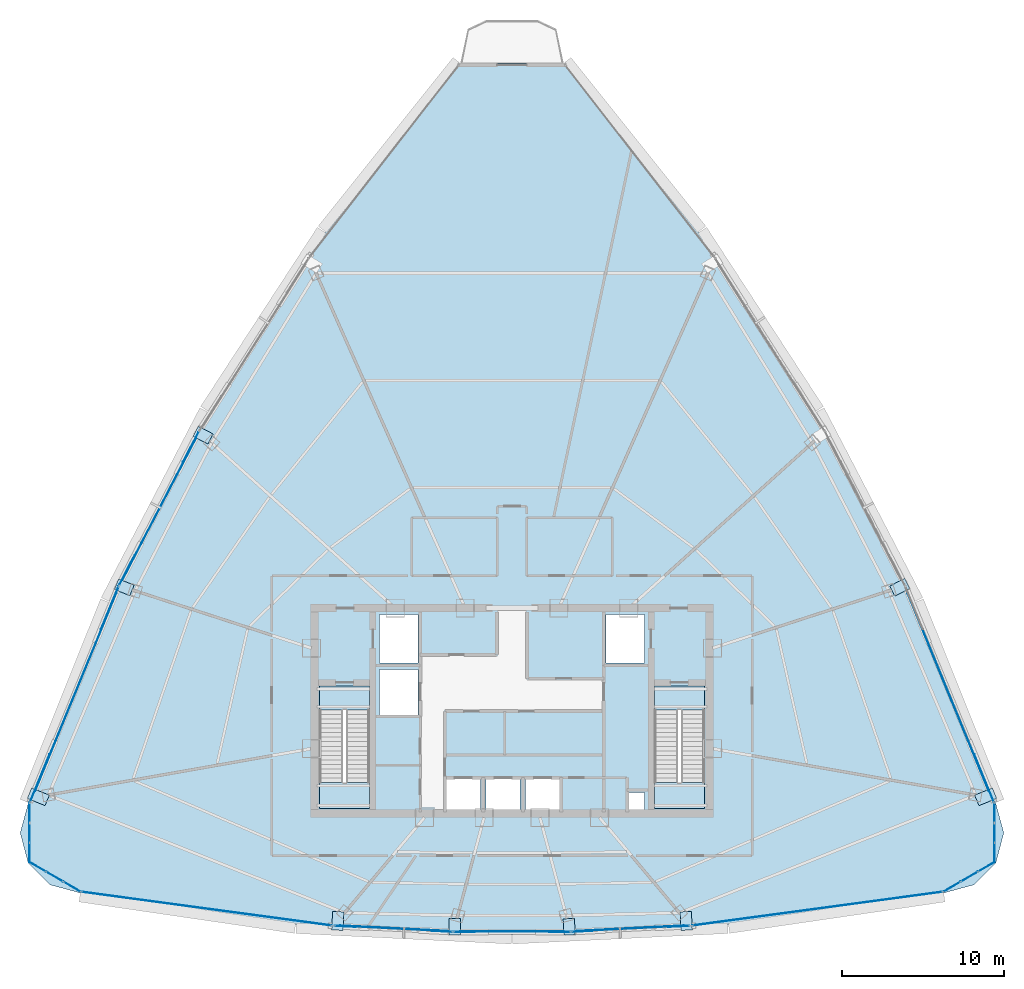
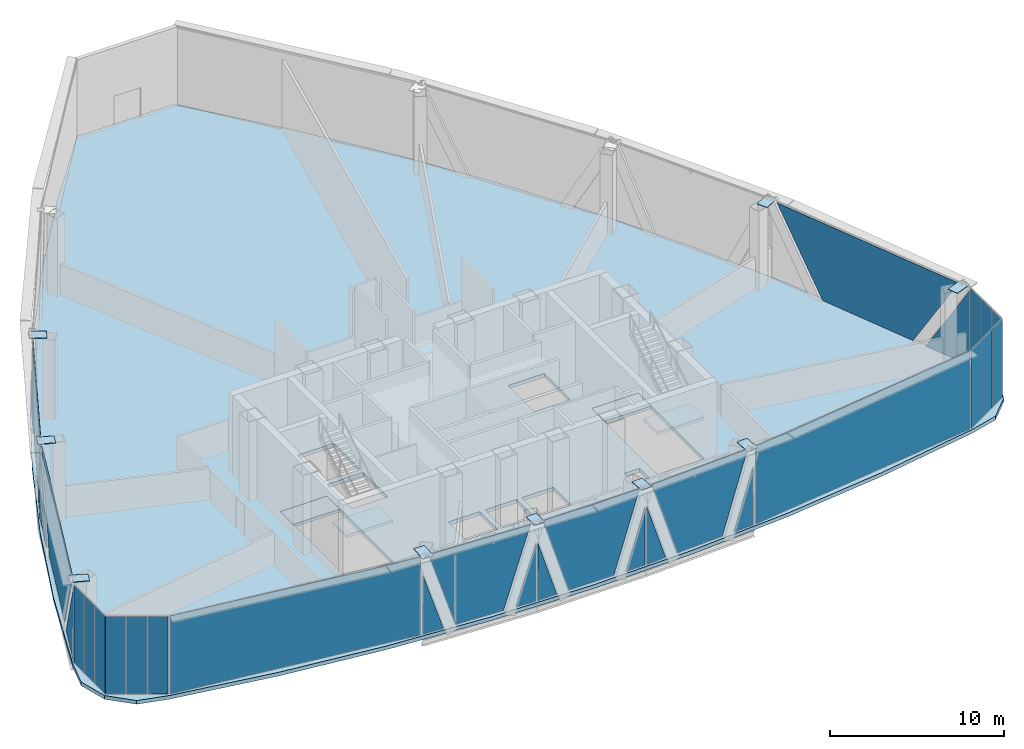
# One storey, part 27 of 33: 40 plates, 5 slabs, 14 elements without a shape of their own.
"""IFC4 building model written with IfcOpenShell, lengths in metres."""

from ifc_helpers import new_model, si_unit, direction, frame, origin, origin_2d, place, context, subcontext, project, spatial, polyline, rectangle, outline, extrude, source, transform, mapped, material, layer, layer_set, type_object, element, aggregate, save


model = new_model("IFC4")

# Units and contexts
model_context = context("Model", 3, precision=1e-05, world=origin(), true_north=direction((0.0, 1.0)))
body_context = subcontext(model_context, "Body", "Model", "MODEL_VIEW")
ifc_project = project(units=[si_unit("LENGTHUNIT", "METRE"), si_unit("AREAUNIT", "SQUARE_METRE"), si_unit("VOLUMEUNIT", "CUBIC_METRE"), si_unit("PLANEANGLEUNIT", "RADIAN"), si_unit("MASSUNIT", "GRAM", prefix="KILO"), si_unit("THERMODYNAMICTEMPERATUREUNIT", "KELVIN"), si_unit("POWERUNIT", "WATT")], contexts=[model_context])

# Site, building, storey
site_placement = place(None, origin())
site = spatial("IfcSite", under=ifc_project, at=site_placement, CompositionType="ELEMENT")
building_placement = place(site_placement, origin())
building = spatial("IfcBuilding", under=site, at=building_placement, Name="Yunzhuo Pagoda Commons", CompositionType="ELEMENT")
storey_placement = place(building_placement, frame((0.0, 0.0, 314.860107421875)))
storey = spatial("IfcBuildingStorey", under=building, at=storey_placement, Name="L79", CompositionType="ELEMENT", Elevation=314.860107421875)

# Curtain wall, plates
ifc_material_1 = material(Name="Anodized aluminium 6063-T6", Category="aluminium")
ifc_layer_1 = layer(ifc_material_1, 0.139892578125)
ifc_layer_set_1 = layer_set([ifc_layer_1], Name="Anodized aluminium 6063-T6")
curtain_wall_type_1 = type_object("IfcCurtainWallType", Name="CW-HI High-Zone Ribbon Curtain Wall", PredefinedType="NOTDEFINED", material=ifc_layer_set_1)
curtain_wall_1_placement = place(storey_placement, origin())
curtain_wall_1 = element("IfcCurtainWall", 1, at=curtain_wall_1_placement, inside=storey, type_object=curtain_wall_type_1, Name="L79 curtain wall CW-L79-F1B2", PredefinedType="NOTDEFINED")
ifc_material_2 = material(Name="Tempered low-e double glazing", Category="glass")
ifc_layer_2 = layer(ifc_material_2, 0.02587890625)
ifc_layer_set_2 = layer_set([ifc_layer_2], Name="Tempered low-e double glazing")
plate_type_1 = type_object("IfcPlateType", Name="CW-HI-P Low-E Double Glazing 26", PredefinedType="CURTAIN_PANEL", material=ifc_layer_set_2)
plate_1_placement = place(storey_placement, frame((37.67919921875, 20.53515625, 2.091064453125), z_axis=(-0.050692256518, -0.998714321079, 0.0), x_axis=(0.998714321079, -0.050692256518, 0.0)))
plate_1 = element("IfcPlate", 2, at=plate_1_placement, type_object=plate_type_1, Name="CW panel 1.1 lite 1", PredefinedType="CURTAIN_PANEL", context=body_context, shape_type="SweptSolid", body=[
    extrude(outline(polyline([(-0.6474609375, -2.0361328125), (0.6474609375, -2.0361328125), (-0.6474609375, 2.0361328125), (-0.6474609375, -2.0361328125)])), origin(), (0.0, 0.0, 1.0), 0.028076171875),
])
plate_2_placement = place(storey_placement, frame((40.677001953125, 20.4130859375, 2.784912109375), z_axis=(-0.050692256518, -0.998714321079, 0.0), x_axis=(0.998714321079, -0.050692256518, 0.0)))
plate_2 = element("IfcPlate", 3, at=plate_2_placement, type_object=plate_type_1, Name="CW panel 1.1 lite 2", PredefinedType="CURTAIN_PANEL", context=body_context, shape_type="SweptSolid", body=[
    extrude(outline(polyline([(-3.29150390625, 2.72998046875), (-1.555419921875, -2.72998046875), (1.55517578125, -2.72998046875), (3.29150390625, 2.72998046875), (-3.29150390625, 2.72998046875)])), origin(), (0.0, 0.0, 1.0), 0.028076171875),
])
plate_3_placement = place(storey_placement, frame((43.671875, 20.231201171875, 2.091064453125), z_axis=(-0.050692256518, -0.998714321079, 0.0), x_axis=(0.998714321079, -0.050692256518, 0.0)))
plate_3 = element("IfcPlate", 4, at=plate_3_placement, type_object=plate_type_1, Name="CW panel 1.1 lite 3", PredefinedType="CURTAIN_PANEL", context=body_context, shape_type="SweptSolid", body=[
    extrude(outline(polyline([(-0.6474609375, -2.0361328125), (0.6474609375, -2.0361328125), (0.6474609375, 2.0361328125), (-0.6474609375, -2.0361328125)])), origin(), (0.0, 0.0, 1.0), 0.028076171875),
])
aggregate(curtain_wall_1, [plate_1, plate_2, plate_3])

curtain_wall_2_placement = place(storey_placement, origin())
curtain_wall_2 = element("IfcCurtainWall", 5, at=curtain_wall_2_placement, inside=storey, type_object=curtain_wall_type_1, Name="L79 curtain wall CW-L79-F1B3", PredefinedType="NOTDEFINED")
plate_4_placement = place(storey_placement, frame((45.0654296875, 20.1953125, 2.075439453125), z_axis=(0.0, -1.0, 0.0), x_axis=(1.0, 0.0, 0.0)))
plate_4 = element("IfcPlate", 6, at=plate_4_placement, type_object=plate_type_1, Name="CW panel 1.1 lite 1", PredefinedType="CURTAIN_PANEL", context=body_context, shape_type="SweptSolid", body=[
    extrude(outline(polyline([(-0.627685546875, -2.0205078125), (0.627685546875, -2.0205078125), (-0.627685546875, 2.0205078125), (-0.627685546875, -2.0205078125)])), origin(), (0.0, 0.0, 1.0), 0.028076171875),
])
plate_5_placement = place(storey_placement, frame((48.0, 20.22509765625, 2.784912109375), z_axis=(0.0, -1.0, 0.0), x_axis=(1.0, 0.0, 0.0)))
plate_5 = element("IfcPlate", 7, at=plate_5_placement, type_object=plate_type_1, Name="CW panel 1.1 lite 2", PredefinedType="CURTAIN_PANEL", context=body_context, shape_type="SweptSolid", body=[
    extrude(outline(polyline([(-3.207275390625, 2.72998046875), (-1.510986328125, -2.72998046875), (1.510986328125, -2.72998046875), (3.207275390625, 2.72998046875), (-3.207275390625, 2.72998046875)])), origin(), (0.0, 0.0, 1.0), 0.028076171875),
])
plate_6_placement = place(storey_placement, frame((50.9345703125, 20.1953125, 2.075439453125), z_axis=(0.0, -1.0, 0.0), x_axis=(1.0, 0.0, 0.0)))
plate_6 = element("IfcPlate", 8, at=plate_6_placement, type_object=plate_type_1, Name="CW panel 1.1 lite 3", PredefinedType="CURTAIN_PANEL", context=body_context, shape_type="SweptSolid", body=[
    extrude(outline(polyline([(-0.627685546875, -2.0205078125), (0.627685546875, -2.0205078125), (0.627685546875, 2.0205078125), (-0.627685546875, -2.0205078125)])), origin(), (0.0, 0.0, 1.0), 0.028076171875),
])
aggregate(curtain_wall_2, [plate_4, plate_5, plate_6])

curtain_wall_3_placement = place(storey_placement, origin())
curtain_wall_3 = element("IfcCurtainWall", 9, at=curtain_wall_3_placement, inside=storey, type_object=curtain_wall_type_1, Name="L79 curtain wall CW-L79-F1B4", PredefinedType="NOTDEFINED")
plate_7_placement = place(storey_placement, frame((52.328125, 20.231201171875, 2.091064453125), z_axis=(0.050692256518, -0.998714321079, 0.0), x_axis=(0.998714321079, 0.050692256518, 0.0)))
plate_7 = element("IfcPlate", 10, at=plate_7_placement, type_object=plate_type_1, Name="CW panel 1.1 lite 1", PredefinedType="CURTAIN_PANEL", context=body_context, shape_type="SweptSolid", body=[
    extrude(outline(polyline([(-0.6474609375, -2.0361328125), (0.6474609375, -2.0361328125), (-0.6474609375, 2.0361328125), (-0.6474609375, -2.0361328125)])), origin(), (0.0, 0.0, 1.0), 0.028076171875),
])
plate_8_placement = place(storey_placement, frame((55.322998046875, 20.4130859375, 2.784912109375), z_axis=(0.050692256518, -0.998714321079, 0.0), x_axis=(0.998714321079, 0.050692256518, 0.0)))
plate_8 = element("IfcPlate", 11, at=plate_8_placement, type_object=plate_type_1, Name="CW panel 1.1 lite 2", PredefinedType="CURTAIN_PANEL", context=body_context, shape_type="SweptSolid", body=[
    extrude(outline(polyline([(-3.29150390625, 2.72998046875), (-1.55517578125, -2.72998046875), (1.555419921875, -2.72998046875), (3.29150390625, 2.72998046875), (-3.29150390625, 2.72998046875)])), origin(), (0.0, 0.0, 1.0), 0.028076171875),
])
plate_9_placement = place(storey_placement, frame((58.32080078125, 20.53515625, 2.091064453125), z_axis=(0.050692256518, -0.998714321079, 0.0), x_axis=(0.998714321079, 0.050692256518, 0.0)))
plate_9 = element("IfcPlate", 12, at=plate_9_placement, type_object=plate_type_1, Name="CW panel 1.1 lite 3", PredefinedType="CURTAIN_PANEL", context=body_context, shape_type="SweptSolid", body=[
    extrude(outline(polyline([(-0.6474609375, -2.0361328125), (0.6474609375, -2.0361328125), (0.6474609375, 2.0361328125), (-0.6474609375, -2.0361328125)])), origin(), (0.0, 0.0, 1.0), 0.028076171875),
])
aggregate(curtain_wall_3, [plate_7, plate_8, plate_9])

curtain_wall_4_placement = place(storey_placement, origin())
curtain_wall_4 = element("IfcCurtainWall", 13, at=curtain_wall_4_placement, inside=storey, type_object=curtain_wall_type_1, Name="L79 curtain wall CW-L79-F2B2", PredefinedType="NOTDEFINED")
plate_10_placement = place(storey_placement, frame((77.182373046875, 29.677734375, 2.67431640625), z_axis=(0.924975207531, 0.380027453552, 0.0), x_axis=(-0.380027453552, 0.924975207531, 0.0)))
plate_10 = element("IfcPlate", 14, at=plate_10_placement, type_object=plate_type_1, Name="CW panel 1.1 lite 1", PredefinedType="CURTAIN_PANEL", context=body_context, shape_type="SweptSolid", body=[
    extrude(outline(polyline([(-1.594482421875, -2.619384765625), (1.594482421875, -2.619384765625), (-1.594482421875, 2.619384765625), (-1.594482421875, -2.619384765625)])), origin(), (0.0, 0.0, 1.0), 0.028076171875),
])
plate_11_placement = place(storey_placement, frame((74.9580078125, 35.01318359375, 2.784912109375), z_axis=(0.924975207531, 0.380027453552, 0.0), x_axis=(-0.380027453552, 0.924975207531, 0.0)))
plate_11 = element("IfcPlate", 15, at=plate_11_placement, type_object=plate_type_1, Name="CW panel 1.1 lite 2", PredefinedType="CURTAIN_PANEL", context=body_context, shape_type="SweptSolid", body=[
    extrude(outline(polyline([(-6.6201171875, 2.72998046875), (-3.296142578125, -2.72998046875), (3.296142578125, -2.72998046875), (6.6201171875, 2.72998046875), (-6.6201171875, 2.72998046875)])), origin(), (0.0, 0.0, 1.0), 0.028076171875),
])
aggregate(curtain_wall_4, [plate_10, plate_11])

curtain_wall_5_placement = place(storey_placement, origin())
curtain_wall_5 = element("IfcCurtainWall", 16, at=curtain_wall_5_placement, inside=storey, type_object=curtain_wall_type_1, Name="L79 curtain wall CW-L79-F3B3", PredefinedType="NOTDEFINED")
plate_12_placement = place(storey_placement, frame((28.15625, 50.15185546875, 2.29296875), z_axis=(-0.887531158433, 0.460747699735, 0.0), x_axis=(-0.460747699735, -0.887531158433, 0.0)))
plate_12 = element("IfcPlate", 17, at=plate_12_placement, type_object=plate_type_1, Name="CW panel 1.1 lite 1", PredefinedType="CURTAIN_PANEL", context=body_context, shape_type="SweptSolid", body=[
    extrude(outline(polyline([(-1.030517578125, -2.238037109375), (1.030517578125, -2.238037109375), (-1.030517578125, 2.238037109375), (-1.030517578125, -2.238037109375)])), origin(), (0.0, 0.0, 1.0), 0.028076171875),
])
plate_13_placement = place(storey_placement, frame((26.211669921875, 46.3408203125, 2.784912109375), z_axis=(-0.887531158433, 0.460747699735, 0.0), x_axis=(-0.460747699735, -0.887531158433, 0.0)))
plate_13 = element("IfcPlate", 18, at=plate_13_placement, type_object=plate_type_1, Name="CW panel 1.1 lite 2", PredefinedType="CURTAIN_PANEL", context=body_context, shape_type="SweptSolid", body=[
    extrude(outline(polyline([(-4.92529296875, 2.72998046875), (-2.4111328125, -2.72998046875), (2.4111328125, -2.72998046875), (4.92529296875, 2.72998046875), (-4.92529296875, 2.72998046875)])), origin(), (0.0, 0.0, 1.0), 0.028076171875),
])
plate_14_placement = place(storey_placement, frame((24.2138671875, 42.557373046875, 2.29296875), z_axis=(-0.887531158433, 0.460747699735, 0.0), x_axis=(-0.460747699735, -0.887531158433, 0.0)))
plate_14 = element("IfcPlate", 19, at=plate_14_placement, type_object=plate_type_1, Name="CW panel 1.1 lite 3", PredefinedType="CURTAIN_PANEL", context=body_context, shape_type="SweptSolid", body=[
    extrude(outline(polyline([(-1.030517578125, -2.238037109375), (1.030517578125, -2.238037109375), (1.030517578125, 2.238037109375), (-1.030517578125, -2.238037109375)])), origin(), (0.0, 0.0, 1.0), 0.028076171875),
])
aggregate(curtain_wall_5, [plate_12, plate_13, plate_14])

curtain_wall_6_placement = place(storey_placement, origin())
curtain_wall_6 = element("IfcCurtainWall", 20, at=curtain_wall_6_placement, inside=storey, type_object=curtain_wall_type_1, Name="L79 curtain wall CW-L79-F3B4", PredefinedType="NOTDEFINED")
plate_15_placement = place(storey_placement, frame((23.147216796875, 40.2158203125, 2.397705078125), z_axis=(-0.924975207531, 0.380027453552, 0.0), x_axis=(-0.380027453552, -0.924975207531, 0.0)))
plate_15 = element("IfcPlate", 21, at=plate_15_placement, type_object=plate_type_1, Name="CW panel 1.1 lite 1", PredefinedType="CURTAIN_PANEL", context=body_context, shape_type="SweptSolid", body=[
    extrude(outline(polyline([(-1.42626953125, -2.3427734375), (1.42626953125, -2.3427734375), (-1.42626953125, 2.3427734375), (-1.42626953125, -2.3427734375)])), origin(), (0.0, 0.0, 1.0), 0.028076171875),
])
plate_16_placement = place(storey_placement, frame((21.0419921875, 35.01318359375, 2.784912109375), z_axis=(-0.924975207531, 0.380027453552, 0.0), x_axis=(-0.380027453552, -0.924975207531, 0.0)))
plate_16 = element("IfcPlate", 22, at=plate_16_placement, type_object=plate_type_1, Name="CW panel 1.1 lite 2", PredefinedType="CURTAIN_PANEL", context=body_context, shape_type="SweptSolid", body=[
    extrude(outline(polyline([(-6.6201171875, 2.72998046875), (-3.296142578125, -2.72998046875), (3.296142578125, -2.72998046875), (6.6201171875, 2.72998046875), (-6.6201171875, 2.72998046875)])), origin(), (0.0, 0.0, 1.0), 0.028076171875),
])
plate_17_placement = place(storey_placement, frame((18.817626953125, 29.677734375, 2.67431640625), z_axis=(-0.924975207531, 0.380027453552, 0.0), x_axis=(-0.380027453552, -0.924975207531, 0.0)))
plate_17 = element("IfcPlate", 23, at=plate_17_placement, type_object=plate_type_1, Name="CW panel 1.1 lite 3", PredefinedType="CURTAIN_PANEL", context=body_context, shape_type="SweptSolid", body=[
    extrude(outline(polyline([(-1.594482421875, -2.619384765625), (1.594482421875, -2.619384765625), (1.594482421875, 2.619384765625), (-1.594482421875, -2.619384765625)])), origin(), (0.0, 0.0, 1.0), 0.028076171875),
])
aggregate(curtain_wall_6, [plate_15, plate_16, plate_17])

# Stair, slabs
ifc_material_3 = material(Name="Concrete C40", Category="concrete")
stair_type_1 = type_object("IfcStairType", Name="ST-C1 Core Smokeproof Stair ST1", PredefinedType="HALF_TURN_STAIR", material=ifc_material_3)
stair_1_placement = place(storey_placement, origin())
stair_1 = element("IfcStair", 24, at=stair_1_placement, inside=storey, type_object=stair_type_1, Name="L79 Core smokeproof stair ST1", PredefinedType="HALF_TURN_STAIR")
ifc_layer_3 = layer(ifc_material_3, 0.199951171875)
ifc_layer_set_3 = layer_set([ifc_layer_3], Name="Concrete C40")
slab_type_1 = type_object("IfcSlabType", Name="SL-LND1 Stair Landing Slab 200", PredefinedType="LANDING", material=ifc_layer_set_3)
slab_1_placement = place(storey_placement, frame((0.0, 0.0, 2.724853515625)))
slab_1 = element("IfcSlab", 25, at=slab_1_placement, type_object=slab_type_1, Name="ST1 landing 1", PredefinedType="LANDING", context=body_context, shape_type="SweptSolid", body=[
    extrude(outline(polyline([(36.10009765625, 29.419921875), (36.10009765625, 27.800048828125), (39.199951171875, 27.800048828125), (39.199951171875, 29.419921875), (36.10009765625, 29.419921875)])), origin(), (0.0, 0.0, 1.0), 0.199951171875),
])
slab_2_placement = place(storey_placement, frame((0.0, 0.0, -0.2001953125)))
slab_2 = element("IfcSlab", 26, at=slab_2_placement, type_object=slab_type_1, Name="ST1 floor landing L79", PredefinedType="LANDING", context=body_context, shape_type="SweptSolid", body=[
    extrude(outline(polyline([(36.10009765625, 35.39990234375), (36.10009765625, 33.89990234375), (39.199951171875, 33.89990234375), (39.199951171875, 35.39990234375), (36.10009765625, 35.39990234375)])), origin(), (0.0, 0.0, 1.0), 0.2001953125),
])
aggregate(stair_1, [slab_1, slab_2])

stair_type_2 = type_object("IfcStairType", Name="ST-C2 Core Smokeproof Stair ST2", PredefinedType="HALF_TURN_STAIR", material=ifc_material_3)
stair_2_placement = place(storey_placement, origin())
stair_2 = element("IfcStair", 27, at=stair_2_placement, inside=storey, type_object=stair_type_2, Name="L79 Core smokeproof stair ST2", PredefinedType="HALF_TURN_STAIR")
ifc_layer_4 = layer(ifc_material_3, 0.201904296875)
ifc_layer_set_4 = layer_set([ifc_layer_4], Name="Concrete C40")
slab_type_2 = type_object("IfcSlabType", Name="SL-LND2 Stair Landing Slab 202", PredefinedType="LANDING", material=ifc_layer_set_4)
slab_3_placement = place(storey_placement, frame((0.0, 0.0, 2.724853515625)))
slab_3 = element("IfcSlab", 28, at=slab_3_placement, type_object=slab_type_2, Name="ST2 landing 1", PredefinedType="LANDING", context=body_context, shape_type="SweptSolid", body=[
    extrude(outline(polyline([(56.800048828125, 29.419921875), (56.800048828125, 27.800048828125), (59.89990234375, 27.800048828125), (59.89990234375, 29.419921875), (56.800048828125, 29.419921875)])), origin(), (0.0, 0.0, 1.0), 0.199951171875),
])
slab_4_placement = place(storey_placement, frame((0.0, 0.0, -0.2001953125)))
slab_4 = element("IfcSlab", 29, at=slab_4_placement, type_object=slab_type_2, Name="ST2 floor landing L79", PredefinedType="LANDING", context=body_context, shape_type="SweptSolid", body=[
    extrude(outline(polyline([(56.800048828125, 35.39990234375), (56.800048828125, 33.89990234375), (59.89990234375, 33.89990234375), (59.89990234375, 35.39990234375), (56.800048828125, 35.39990234375)])), origin(), (0.0, 0.0, 1.0), 0.2001953125),
])
aggregate(stair_2, [slab_3, slab_4])

# Slab
ifc_layer_5 = layer(ifc_material_3, 0.260009765625)
ifc_layer_set_5 = layer_set([ifc_layer_5], Name="Concrete C40")
slab_type_3 = type_object("IfcSlabType", Name="SL-TWR Typical Tower Floor Slab 260", PredefinedType="FLOOR", material=ifc_layer_set_5)
slab_5_placement = place(storey_placement, frame((0.0, 0.0, -0.260009765625)))
element("IfcSlab", 30, at=slab_5_placement, inside=storey, type_object=slab_type_3, Name="L79 structural floor slab", PredefinedType="FLOOR", context=body_context, shape_type="SweptSolid", body=[
    extrude(outline(polyline([(20.45263671875, 34.44677734375), (23.090087890625, 40.57666015625), (26.00830078125, 46.542724609375), (29.207275390625, 52.34521484375), (32.686767578125, 57.9833984375), (36.447021484375, 63.4580078125), (40.48779296875, 68.768798828125), (44.809326171875, 73.916015625), (51.190673828125, 73.916015625), (55.51220703125, 68.768798828125), (59.552978515625, 63.4580078125), (63.313232421875, 57.9833984375), (66.792724609375, 52.34521484375), (69.99169921875, 46.542724609375), (72.909912109375, 40.57666015625), (75.54736328125, 34.44677734375), (77.904296875, 28.15283203125), (78.407958984375, 26.3037109375), (77.91748046875, 24.45068359375), (76.564697265625, 23.093017578125), (74.71337890625, 22.595703125), (68.03515625, 21.45849609375), (61.356689453125, 20.64599609375), (54.678466796875, 20.158447265625), (48.0, 19.99609375), (41.321533203125, 20.158447265625), (34.643310546875, 20.64599609375), (27.96484375, 21.45849609375), (21.28662109375, 22.595703125), (19.435302734375, 23.093017578125), (18.08251953125, 24.45068359375), (17.592041015625, 26.3037109375), (18.095703125, 28.15283203125), (20.45263671875, 34.44677734375)]), holes=[polyline([(56.179931640625, 28.800048828125), (55.179931640625, 28.800048828125), (55.179931640625, 27.699951171875), (56.179931640625, 27.699951171875), (56.179931640625, 28.800048828125)]), polyline([(46.050048828125, 29.64990234375), (43.949951171875, 29.64990234375), (43.949951171875, 27.60009765625), (46.050048828125, 27.60009765625), (46.050048828125, 29.64990234375)]), polyline([(48.5, 29.64990234375), (46.39990234375, 29.64990234375), (46.39990234375, 27.60009765625), (48.5, 27.60009765625), (48.5, 29.64990234375)]), polyline([(50.949951171875, 29.64990234375), (48.85009765625, 29.64990234375), (48.85009765625, 27.60009765625), (50.949951171875, 27.60009765625), (50.949951171875, 29.64990234375)]), polyline([(39.199951171875, 27.800048828125), (39.199951171875, 35.39990234375), (36.10009765625, 35.39990234375), (36.10009765625, 27.800048828125), (39.199951171875, 27.800048828125)]), polyline([(59.89990234375, 27.800048828125), (59.89990234375, 35.39990234375), (56.800048828125, 35.39990234375), (56.800048828125, 27.800048828125), (59.89990234375, 27.800048828125)]), polyline([(42.199951171875, 36.39990234375), (39.800048828125, 36.39990234375), (39.800048828125, 33.60009765625), (42.199951171875, 33.60009765625), (42.199951171875, 36.39990234375)]), polyline([(42.199951171875, 36.800048828125), (42.199951171875, 39.800048828125), (39.800048828125, 39.800048828125), (39.800048828125, 36.800048828125), (42.199951171875, 36.800048828125)]), polyline([(56.199951171875, 36.800048828125), (56.199951171875, 39.800048828125), (53.800048828125, 39.800048828125), (53.800048828125, 36.800048828125), (56.199951171875, 36.800048828125)])]), origin(), (0.0, 0.0, 1.0), 0.260009765625),
])

# Plates
ifc_material_4 = material(Name="Structural steel Q355B", Category="steel")
ifc_layer_6 = layer(ifc_material_4, 0.028076171875)
ifc_layer_set_6 = layer_set([ifc_layer_6], Name="Structural steel Q355B")
plate_type_2 = type_object("IfcPlateType", Name="SP-ND1 Lattice Node Cap Plate 800x500x28", PredefinedType="USERDEFINED", material=ifc_layer_set_6)
shared_shape_1 = source(origin(), body_context, "Body", "SweptSolid", [
    extrude(rectangle(XDim=0.699951171875, YDim=1.149169921875, at=origin_2d()), origin(), (0.0, 0.0, 1.0), 0.035888671875),
])
for number, where, z_axis, x_axis, name in (
    (31, (37.228759765625, 20.86328125, 5.53173828125), (0.0, 0.0, 1.0), (0.998714053628, -0.050697525446, 0.0), "L79 setback lattice tie plate F1.1L"),
    (32, (58.771240234375, 20.86328125, 5.53173828125), (0.0, 0.0, 1.0), (0.998714053628, 0.050697525446, 0.0), "L79 setback lattice tie plate F1.3R"),
):
    element("IfcPlate", number, at=place(storey_placement, frame(where, z_axis=z_axis, x_axis=x_axis)), inside=storey, type_object=plate_type_2, Name=name, ObjectType="STIFFENER_PLATE", PredefinedType="USERDEFINED", context=body_context, shape_type="MappedRepresentation", body=[
        mapped(shared_shape_1, transform((0.0, 0.0, 0.0), scale=1.0)),
    ])
shared_shape_2 = source(origin(), body_context, "Body", "SweptSolid", [
    extrude(rectangle(XDim=0.699951171875, YDim=1.180908203125, at=origin_2d()), origin(), (0.0, 0.0, 1.0), 0.035888671875),
])
for number, where, z_axis, x_axis, name in (
    (33, (77.28662109375, 28.535888671875, 5.53173828125), (0.0, 0.0, 1.0), (-0.379988979105, 0.92499101388, 0.0), "L79 setback lattice tie plate F2.1L"),
    (34, (18.71337890625, 28.535888671875, 5.53173828125), (0.0, 0.0, 1.0), (-0.379988979105, -0.92499101388, 0.0), "L79 setback lattice tie plate F3.3R"),
):
    element("IfcPlate", number, at=place(storey_placement, frame(where, z_axis=z_axis, x_axis=x_axis)), inside=storey, type_object=plate_type_2, Name=name, ObjectType="STIFFENER_PLATE", PredefinedType="USERDEFINED", context=body_context, shape_type="MappedRepresentation", body=[
        mapped(shared_shape_2, transform((0.0, 0.0, 0.0), scale=1.0)),
    ])
shared_shape_3 = source(origin(), body_context, "Body", "SweptSolid", [
    extrude(rectangle(XDim=0.699951171875, YDim=1.03271484375, at=origin_2d()), origin(), (0.0, 0.0, 1.0), 0.035888671875),
])
for number, where, z_axis, x_axis, name in (
    (35, (71.976318359375, 41.490478515625, 5.53173828125), (0.0, 0.0, 1.0), (-0.460742034444, 0.887534099456, 0.0), "L79 setback lattice tie plate F2.2L"),
    (36, (24.023681640625, 41.490478515625, 5.53173828125), (0.0, 0.0, 1.0), (-0.379988979105, -0.92499101388, 0.0), "L79 setback lattice tie plate F3.3L"),
):
    element("IfcPlate", number, at=place(storey_placement, frame(where, z_axis=z_axis, x_axis=x_axis)), inside=storey, type_object=plate_type_2, Name=name, ObjectType="STIFFENER_PLATE", PredefinedType="USERDEFINED", context=body_context, shape_type="MappedRepresentation", body=[
        mapped(shared_shape_3, transform((0.0, 0.0, 0.0), scale=1.0)),
    ])
shared_shape_4 = source(origin(), body_context, "Body", "SweptSolid", [
    extrude(rectangle(XDim=0.699951171875, YDim=1.0361328125, at=origin_2d()), origin(), (0.0, 0.0, 1.0), 0.035888671875),
])
plate_18_placement = place(storey_placement, frame((28.9013671875, 50.896484375, 5.53173828125), z_axis=(0.0, 0.0, 1.0), x_axis=(-0.460742034444, -0.887534099456, 0.0)))
element("IfcPlate", 37, at=plate_18_placement, inside=storey, type_object=plate_type_2, Name="L79 setback lattice tie plate F3.2L", ObjectType="STIFFENER_PLATE", PredefinedType="USERDEFINED", context=body_context, shape_type="MappedRepresentation", body=[
    mapped(shared_shape_4, transform((0.0, 0.0, 0.0), scale=1.0)),
])
shared_shape_5 = source(origin(), body_context, "Body", "SweptSolid", [
    extrude(rectangle(XDim=0.699951171875, YDim=1.008056640625, at=origin_2d()), origin(), (0.0, 0.0, 1.0), 0.035888671875),
])
for number, where, z_axis, x_axis, name in (
    (38, (44.462890625, 20.4990234375, 5.53173828125), (0.0, 0.0, 1.0), (1.0, 0.0, 0.0), "L79 setback lattice tie plate F1.2L"),
    (39, (51.537109375, 20.4990234375, 5.53173828125), (0.0, 0.0, 1.0), (0.998714053628, 0.050697525446, 0.0), "L79 setback lattice tie plate F1.3L"),
):
    element("IfcPlate", number, at=place(storey_placement, frame(where, z_axis=z_axis, x_axis=x_axis)), inside=storey, type_object=plate_type_2, Name=name, ObjectType="STIFFENER_PLATE", PredefinedType="USERDEFINED", context=body_context, shape_type="MappedRepresentation", body=[
        mapped(shared_shape_5, transform((0.0, 0.0, 0.0), scale=1.0)),
    ])

# Curtain wall, plate
curtain_wall_7_placement = place(storey_placement, origin())
curtain_wall_7 = element("IfcCurtainWall", 40, at=curtain_wall_7_placement, inside=storey, type_object=curtain_wall_type_1, Name="L79 curtain wall CW-L79-F1B1", PredefinedType="NOTDEFINED")
shared_shape_6 = source(origin(), body_context, "Body", "SweptSolid", [
    extrude(rectangle(XDim=15.591796875, YDim=0.028076171875, at=origin_2d()), origin(), (0.0, 0.0, 1.0), 5.4599609375),
])
plate_19_placement = place(storey_placement, frame((29.112060546875, 21.6162109375, 0.054931640625), z_axis=(0.0, 0.0, 1.0), x_axis=(0.991046317424, -0.133518525759, 0.0)))
plate_19 = element("IfcPlate", 41, at=plate_19_placement, type_object=plate_type_1, Name="CW panel 1.1", PredefinedType="CURTAIN_PANEL", context=body_context, shape_type="MappedRepresentation", body=[
    mapped(shared_shape_6, transform((0.0, 0.0, 0.0), scale=1.0)),
])
aggregate(curtain_wall_7, [plate_19])

curtain_wall_8_placement = place(storey_placement, origin())
curtain_wall_8 = element("IfcCurtainWall", 42, at=curtain_wall_8_placement, inside=storey, type_object=curtain_wall_type_1, Name="L79 curtain wall CW-L79-F1B5", PredefinedType="NOTDEFINED")
plate_20_placement = place(storey_placement, frame((66.887939453125, 21.6162109375, 0.054931640625), z_axis=(0.0, 0.0, 1.0), x_axis=(0.991046317424, 0.133518525759, 0.0)))
plate_20 = element("IfcPlate", 43, at=plate_20_placement, type_object=plate_type_1, Name="CW panel 1.1", PredefinedType="CURTAIN_PANEL", context=body_context, shape_type="MappedRepresentation", body=[
    mapped(shared_shape_6, transform((0.0, 0.0, 0.0), scale=1.0)),
])
aggregate(curtain_wall_8, [plate_20])

# Curtain wall, plates
ifc_layer_7 = layer(ifc_material_1, 0.1298828125)
ifc_layer_set_7 = layer_set([ifc_layer_7], Name="Anodized aluminium 6063-T6")
curtain_wall_type_2 = type_object("IfcCurtainWallType", Name="CW-VTX Rounded Corner Curtain Wall", PredefinedType="NOTDEFINED", material=ifc_layer_set_7)
curtain_wall_9_placement = place(storey_placement, origin())
curtain_wall_9 = element("IfcCurtainWall", 44, at=curtain_wall_9_placement, inside=storey, type_object=curtain_wall_type_2, Name="L79 curtain wall CW-L79-VTX1S1", PredefinedType="NOTDEFINED")
ifc_layer_8 = layer(ifc_material_2, 0.02587890625)
ifc_layer_set_8 = layer_set([ifc_layer_8], Name="Tempered low-e double glazing")
plate_type_3 = type_object("IfcPlateType", Name="CW-VTX-P Low-E Double Glazing 26", PredefinedType="CURTAIN_PANEL", material=ifc_layer_set_8)
shared_shape_7 = source(origin(), body_context, "Body", "SweptSolid", [
    extrude(rectangle(XDim=1.151611328125, YDim=0.028076171875, at=origin_2d()), origin(), (0.0, 0.0, 1.0), 5.4599609375),
])
plate_21_placement = place(storey_placement, frame((18.173583984375, 27.521728515625, 0.054931640625), z_axis=(0.0, 0.0, 1.0), x_axis=(-0.003592435359, -0.999993547183, 0.0)))
plate_21 = element("IfcPlate", 45, at=plate_21_placement, type_object=plate_type_3, Name="CW panel 1.1", PredefinedType="CURTAIN_PANEL", context=body_context, shape_type="MappedRepresentation", body=[
    mapped(shared_shape_7, transform((0.0, 0.0, 0.0), scale=1.0)),
])
plate_22_placement = place(storey_placement, frame((18.164794921875, 25.081298828125, 0.054931640625), z_axis=(0.0, 0.0, 1.0), x_axis=(-0.003592435359, -0.999993547183, 0.0)))
plate_22 = element("IfcPlate", 46, at=plate_22_placement, type_object=plate_type_3, Name="CW panel 3.1", PredefinedType="CURTAIN_PANEL", context=body_context, shape_type="MappedRepresentation", body=[
    mapped(shared_shape_7, transform((0.0, 0.0, 0.0), scale=1.0)),
])

curtain_wall_10_placement = place(storey_placement, origin())
curtain_wall_10 = element("IfcCurtainWall", 47, at=curtain_wall_10_placement, inside=storey, type_object=curtain_wall_type_2, Name="L79 curtain wall CW-L79-VTX1S2", PredefinedType="NOTDEFINED")
plate_23_placement = place(storey_placement, frame((18.66845703125, 24.203857421875, 0.054931640625), z_axis=(0.0, 0.0, 1.0), x_axis=(0.86543183333, -0.501026687771, 0.0)))
plate_23 = element("IfcPlate", 48, at=plate_23_placement, type_object=plate_type_3, Name="CW panel 1.1", PredefinedType="CURTAIN_PANEL", context=body_context, shape_type="MappedRepresentation", body=[
    mapped(shared_shape_7, transform((0.0, 0.0, 0.0), scale=1.0)),
])
plate_24_placement = place(storey_placement, frame((20.78076171875, 22.98095703125, 0.054931640625), z_axis=(0.0, 0.0, 1.0), x_axis=(0.86543183333, -0.501026687771, 0.0)))
plate_24 = element("IfcPlate", 49, at=plate_24_placement, type_object=plate_type_3, Name="CW panel 3.1", PredefinedType="CURTAIN_PANEL", context=body_context, shape_type="MappedRepresentation", body=[
    mapped(shared_shape_7, transform((0.0, 0.0, 0.0), scale=1.0)),
])

curtain_wall_11_placement = place(storey_placement, origin())
curtain_wall_11 = element("IfcCurtainWall", 50, at=curtain_wall_11_placement, inside=storey, type_object=curtain_wall_type_2, Name="L79 curtain wall CW-L79-VTX2S1", PredefinedType="NOTDEFINED")
plate_25_placement = place(storey_placement, frame((75.21923828125, 22.98095703125, 0.054931640625), z_axis=(0.0, 0.0, 1.0), x_axis=(0.86543183333, 0.501026687771, 0.0)))
plate_25 = element("IfcPlate", 51, at=plate_25_placement, type_object=plate_type_3, Name="CW panel 1.1", PredefinedType="CURTAIN_PANEL", context=body_context, shape_type="MappedRepresentation", body=[
    mapped(shared_shape_7, transform((0.0, 0.0, 0.0), scale=1.0)),
])
plate_26_placement = place(storey_placement, frame((77.33154296875, 24.203857421875, 0.054931640625), z_axis=(0.0, 0.0, 1.0), x_axis=(0.86543183333, 0.501026687771, 0.0)))
plate_26 = element("IfcPlate", 52, at=plate_26_placement, type_object=plate_type_3, Name="CW panel 3.1", PredefinedType="CURTAIN_PANEL", context=body_context, shape_type="MappedRepresentation", body=[
    mapped(shared_shape_7, transform((0.0, 0.0, 0.0), scale=1.0)),
])

curtain_wall_12_placement = place(storey_placement, origin())
curtain_wall_12 = element("IfcCurtainWall", 53, at=curtain_wall_12_placement, inside=storey, type_object=curtain_wall_type_2, Name="L79 curtain wall CW-L79-VTX2S2", PredefinedType="NOTDEFINED")
plate_27_placement = place(storey_placement, frame((77.835205078125, 25.081298828125, 0.054931640625), z_axis=(0.0, 0.0, 1.0), x_axis=(-0.003592435359, 0.999993547183, 0.0)))
plate_27 = element("IfcPlate", 54, at=plate_27_placement, type_object=plate_type_3, Name="CW panel 1.1", PredefinedType="CURTAIN_PANEL", context=body_context, shape_type="MappedRepresentation", body=[
    mapped(shared_shape_7, transform((0.0, 0.0, 0.0), scale=1.0)),
])
plate_28_placement = place(storey_placement, frame((77.826416015625, 27.521728515625, 0.054931640625), z_axis=(0.0, 0.0, 1.0), x_axis=(-0.003592435359, 0.999993547183, 0.0)))
plate_28 = element("IfcPlate", 55, at=plate_28_placement, type_object=plate_type_3, Name="CW panel 3.1", PredefinedType="CURTAIN_PANEL", context=body_context, shape_type="MappedRepresentation", body=[
    mapped(shared_shape_7, transform((0.0, 0.0, 0.0), scale=1.0)),
])

# Plate
shared_shape_8 = source(origin(), body_context, "Body", "SweptSolid", [
    extrude(rectangle(XDim=1.178955078125, YDim=0.028076171875, at=origin_2d()), origin(), (0.0, 0.0, 1.0), 5.4599609375),
])
plate_29_placement = place(storey_placement, frame((18.169189453125, 26.301513671875, 0.054931640625), z_axis=(0.0, 0.0, 1.0), x_axis=(-0.003592435359, -0.999993547183, 0.0)))
plate_29 = element("IfcPlate", 56, at=plate_29_placement, type_object=plate_type_3, Name="CW panel 2.1", PredefinedType="CURTAIN_PANEL", context=body_context, shape_type="MappedRepresentation", body=[
    mapped(shared_shape_8, transform((0.0, 0.0, 0.0), scale=1.0)),
])

aggregate(curtain_wall_9, [plate_21, plate_29, plate_22])

plate_30_placement = place(storey_placement, frame((19.724609375, 23.592529296875, 0.054931640625), z_axis=(0.0, 0.0, 1.0), x_axis=(0.86543183333, -0.501026687771, 0.0)))
plate_30 = element("IfcPlate", 57, at=plate_30_placement, type_object=plate_type_3, Name="CW panel 2.1", PredefinedType="CURTAIN_PANEL", context=body_context, shape_type="MappedRepresentation", body=[
    mapped(shared_shape_8, transform((0.0, 0.0, 0.0), scale=1.0)),
])

aggregate(curtain_wall_10, [plate_23, plate_30, plate_24])

plate_31_placement = place(storey_placement, frame((76.275390625, 23.592529296875, 0.054931640625), z_axis=(0.0, 0.0, 1.0), x_axis=(0.86543183333, 0.501026687771, 0.0)))
plate_31 = element("IfcPlate", 58, at=plate_31_placement, type_object=plate_type_3, Name="CW panel 2.1", PredefinedType="CURTAIN_PANEL", context=body_context, shape_type="MappedRepresentation", body=[
    mapped(shared_shape_8, transform((0.0, 0.0, 0.0), scale=1.0)),
])

aggregate(curtain_wall_11, [plate_25, plate_31, plate_26])

plate_32_placement = place(storey_placement, frame((77.830810546875, 26.301513671875, 0.054931640625), z_axis=(0.0, 0.0, 1.0), x_axis=(-0.003592435359, 0.999993547183, 0.0)))
plate_32 = element("IfcPlate", 59, at=plate_32_placement, type_object=plate_type_3, Name="CW panel 2.1", PredefinedType="CURTAIN_PANEL", context=body_context, shape_type="MappedRepresentation", body=[
    mapped(shared_shape_8, transform((0.0, 0.0, 0.0), scale=1.0)),
])

aggregate(curtain_wall_12, [plate_27, plate_32, plate_28])

save(model, "model.ifc")
